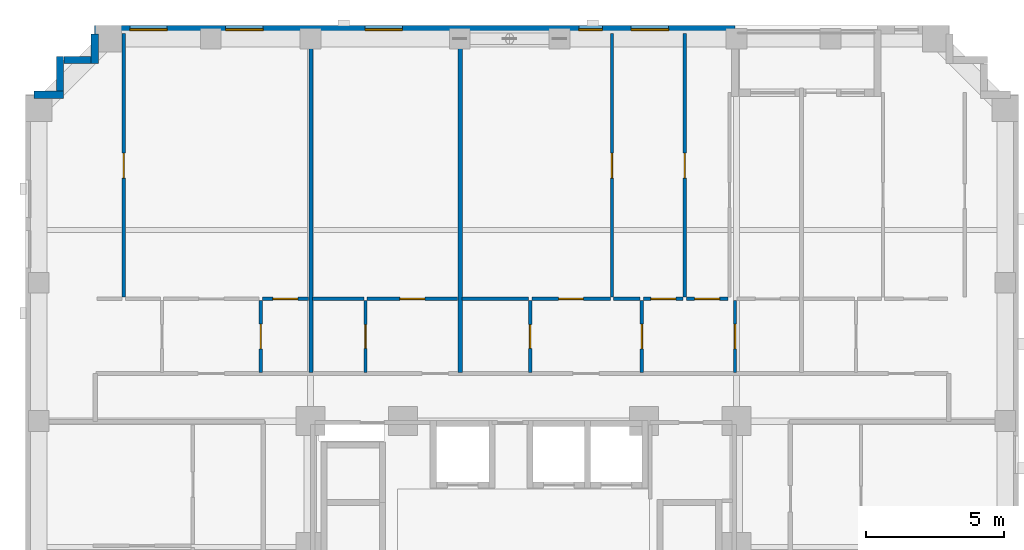
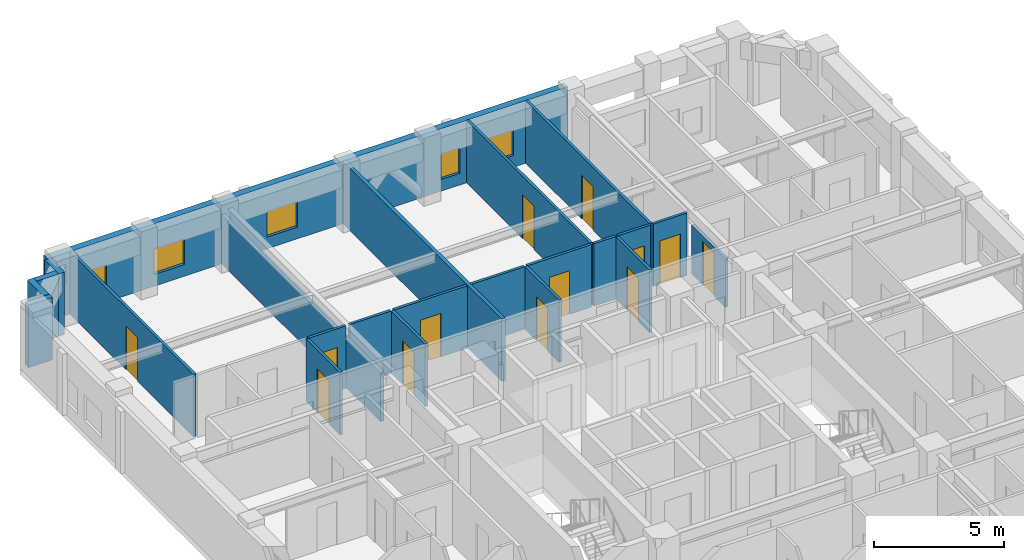
# One storey, part 7 of 12: 23 walls, 13 doors, 5 windows, 18 openings.
"""IFC4 building model written with IfcOpenShell, lengths in metres."""

from ifc_helpers import new_model, si_unit, derived_unit, direction, frame, frame_2d, origin, place, context, subcontext, project, spatial, rectangle, extrude, material, layer, layer_set, type_object, element, fill, save


model = new_model("IFC4")

# Units and contexts
model_context = context("Model", 3, precision=1e-05, world=origin(), true_north=direction((0.0, 1.0)))
body_context = subcontext(model_context, "Body", "Model", "MODEL_VIEW")
ifc_project = project(units=[si_unit("LENGTHUNIT", "METRE"), si_unit("AREAUNIT", "SQUARE_METRE"), si_unit("VOLUMEUNIT", "CUBIC_METRE"), si_unit("PLANEANGLEUNIT", "RADIAN"), si_unit("MASSUNIT", "GRAM", prefix="KILO"), derived_unit("THERMALTRANSMITTANCEUNIT", [(si_unit("MASSUNIT", "GRAM", prefix="KILO"), 1), (si_unit("TIMEUNIT", "SECOND"), -3), (si_unit("THERMODYNAMICTEMPERATUREUNIT", "KELVIN"), -1)])], contexts=[model_context])

# Site, building, storey
site_placement = place(None, origin())
site = spatial("IfcSite", under=ifc_project, at=site_placement, CompositionType="ELEMENT")
building_placement = place(site_placement, origin())
building = spatial("IfcBuilding", under=site, at=building_placement, Name="Korrvale Station Residences", CompositionType="ELEMENT")
storey_placement = place(building_placement, frame((0.0, 0.0, 107.10009765625)))
storey = spatial("IfcBuildingStorey", under=building, at=storey_placement, Name="L30", CompositionType="ELEMENT", Elevation=107.10009765625)

# Walls
ifc_material_1 = material(Name="Precast concrete C45/55", Category="concrete")
ifc_layer_1 = layer(ifc_material_1, 0.260009765625, Name="Precast concrete C45/55")
ifc_layer_set_1 = layer_set([ifc_layer_1], Name="Precast concrete C45/55")
wall_type_1 = type_object("IfcWallType", Name="WAL-EXT-LOG260", PredefinedType="SOLIDWALL", material=ifc_layer_set_1)
wall_1_placement = place(storey_placement, frame((7.802001953125, 40.800048828125, 0.0), z_axis=(0.0, 0.0, 1.0), x_axis=(1.0, 0.0, 0.0)))
element("IfcWall", 1, at=wall_1_placement, inside=storey, type_object=wall_type_1, Name="L30 Serrated Corner Precast Step NW-1", PredefinedType="SOLIDWALL", context=body_context, shape_type="SweptSolid", body=[
    extrude(rectangle(XDim=1.077880859375, YDim=0.260009765625, at=frame_2d((0.5390625, 0.0))), origin(), (0.0, 0.0, 1.0), 2.93994140625),
])
wall_2_placement = place(storey_placement, frame((8.75, 40.931884765625, 0.0), z_axis=(0.0, 0.0, 1.0), x_axis=(0.0, 1.0, 0.0)))
element("IfcWall", 2, at=wall_2_placement, inside=storey, type_object=wall_type_1, Name="L30 Serrated Corner Precast Step NW-2", PredefinedType="SOLIDWALL", context=body_context, shape_type="SweptSolid", body=[
    extrude(rectangle(XDim=1.248046875, YDim=0.260009765625, at=frame_2d((0.6240234375, 0.0))), origin(), (0.0, 0.0, 1.0), 2.93994140625),
])
wall_3_placement = place(storey_placement, frame((8.882080078125, 42.050048828125, 0.0), z_axis=(0.0, 0.0, 1.0), x_axis=(1.0, 0.0, 0.0)))
element("IfcWall", 3, at=wall_3_placement, inside=storey, type_object=wall_type_1, Name="L30 Serrated Corner Precast Step NW-3", PredefinedType="SOLIDWALL", context=body_context, shape_type="SweptSolid", body=[
    extrude(rectangle(XDim=0.98583984375, YDim=0.260009765625, at=frame_2d((0.492919921875, 0.0))), origin(), (0.0, 0.0, 1.0), 2.93994140625),
])
wall_4_placement = place(storey_placement, frame((10.0, 41.919921875, 0.0), z_axis=(0.0, 0.0, 1.0), x_axis=(0.0, 1.0, 0.0)))
element("IfcWall", 4, at=wall_4_placement, inside=storey, type_object=wall_type_1, Name="L30 Serrated Corner Precast Step NW-4", PredefinedType="SOLIDWALL", context=body_context, shape_type="SweptSolid", body=[
    extrude(rectangle(XDim=1.078125, YDim=0.260009765625, at=frame_2d((0.5390625, 0.0))), origin(), (0.0, 0.0, 1.0), 2.93994140625),
])

# Wall, openings, windows
ifc_layer_2 = layer(ifc_material_1, 0.300048828125, Name="Precast concrete C45/55")
ifc_layer_set_2 = layer_set([ifc_layer_2], Name="Precast concrete C45/55")
wall_type_2 = type_object("IfcWallType", Name="WAL-EXT-PC300", PredefinedType="SOLIDWALL", material=ifc_layer_set_2)
wall_5_placement = place(storey_placement, frame((10.0, 43.14990234375, 0.0), z_axis=(0.0, 0.0, 1.0), x_axis=(1.0, 0.0, 0.0)))
wall_5 = element("IfcWall", 5, at=wall_5_placement, inside=storey, type_object=wall_type_2, Name="L30 North Exterior Precast Wall 1", PredefinedType="SOLIDWALL", context=body_context, shape_type="SweptSolid", body=[
    extrude(rectangle(XDim=23.14990234375, YDim=0.300048828125, at=frame_2d((11.574951171875, 0.0))), origin(), (0.0, 0.0, 1.0), 2.93994140625),
])
opening_1_placement = place(wall_5_placement, frame((4.735107421875, 0.0, 0.550048828125)))
opening_1 = element("IfcOpeningElement", 6, at=opening_1_placement, cuts=wall_5, Name="Opening W-10", PredefinedType="OPENING", context=body_context, shape_type="SweptSolid", body=[
    extrude(rectangle(XDim=1.35009765625, YDim=1.199951171875, at=frame_2d((0.675048828125, 0.60009765625))), frame((0.0, 0.16015625, 0.0), z_axis=(0.0, -1.0, 0.0), x_axis=(1.0, 0.0, 0.0)), (0.0, 0.0, 1.0), 0.320068359375),
])
opening_2_placement = place(wall_5_placement, frame((1.27001953125, 0.0, 0.550048828125)))
opening_2 = element("IfcOpeningElement", 7, at=opening_2_placement, cuts=wall_5, Name="Opening W-10", PredefinedType="OPENING", context=body_context, shape_type="SweptSolid", body=[
    extrude(rectangle(XDim=1.35009765625, YDim=1.199951171875, at=frame_2d((0.675048828125, 0.60009765625))), frame((0.0, 0.16015625, 0.0), z_axis=(0.0, -1.0, 0.0), x_axis=(1.0, 0.0, 0.0)), (0.0, 0.0, 1.0), 0.320068359375),
])
opening_3_placement = place(wall_5_placement, frame((9.77294921875, 0.0, 0.550048828125)))
opening_3 = element("IfcOpeningElement", 8, at=opening_3_placement, cuts=wall_5, Name="Opening W-10", PredefinedType="OPENING", context=body_context, shape_type="SweptSolid", body=[
    extrude(rectangle(XDim=1.35009765625, YDim=1.199951171875, at=frame_2d((0.675048828125, 0.60009765625))), frame((0.0, 0.16015625, 0.0), z_axis=(0.0, -1.0, 0.0), x_axis=(1.0, 0.0, 0.0)), (0.0, 0.0, 1.0), 0.320068359375),
])
opening_4_placement = place(wall_5_placement, frame((17.5, 0.0, 0.550048828125)))
opening_4 = element("IfcOpeningElement", 9, at=opening_4_placement, cuts=wall_5, Name="Opening W-11", PredefinedType="OPENING", context=body_context, shape_type="SweptSolid", body=[
    extrude(rectangle(XDim=0.85009765625, YDim=1.199951171875, at=frame_2d((0.425048828125, 0.60009765625))), frame((0.0, 0.16015625, 0.0), z_axis=(0.0, -1.0, 0.0), x_axis=(1.0, 0.0, 0.0)), (0.0, 0.0, 1.0), 0.320068359375),
])
opening_5_placement = place(wall_5_placement, frame((19.39306640625, 0.0, 0.550048828125)))
opening_5 = element("IfcOpeningElement", 10, at=opening_5_placement, cuts=wall_5, Name="Opening W-10", PredefinedType="OPENING", context=body_context, shape_type="SweptSolid", body=[
    extrude(rectangle(XDim=1.35009765625, YDim=1.199951171875, at=frame_2d((0.675048828125, 0.60009765625))), frame((0.0, 0.16015625, 0.0), z_axis=(0.0, -1.0, 0.0), x_axis=(1.0, 0.0, 0.0)), (0.0, 0.0, 1.0), 0.320068359375),
])
ifc_material_2 = material(Name="Thermally broken aluminium frame with triple low-e glazing", Category="aluminium")
window_type_1 = type_object("IfcWindowType", Name="WIN-W10", PartitioningType="SINGLE_PANEL", PredefinedType="WINDOW", material=ifc_material_2)
window_1_placement = place(opening_1_placement, origin())
window_1 = element("IfcWindow", 11, at=window_1_placement, inside=storey, type_object=window_type_1, Name="L30 Punched Window 12", OverallHeight=1.199951171875, OverallWidth=1.35009765625, PartitioningType="SINGLE_PANEL", PredefinedType="WINDOW", context=body_context, shape_type="SweptSolid", body=[
    extrude(rectangle(XDim=1.35009765625, YDim=1.199951171875, at=frame_2d((0.675048828125, 0.60009765625))), frame((0.0, 0.030029296875, 0.0), z_axis=(0.0, -1.0, 0.0), x_axis=(1.0, 0.0, 0.0)), (0.0, 0.0, 1.0), 0.06005859375),
])
fill(opening_1, window_1)
window_2_placement = place(opening_2_placement, origin())
window_2 = element("IfcWindow", 12, at=window_2_placement, inside=storey, type_object=window_type_1, Name="L30 Punched Window 13", OverallHeight=1.199951171875, OverallWidth=1.35009765625, PartitioningType="SINGLE_PANEL", PredefinedType="WINDOW", context=body_context, shape_type="SweptSolid", body=[
    extrude(rectangle(XDim=1.35009765625, YDim=1.199951171875, at=frame_2d((0.675048828125, 0.60009765625))), frame((0.0, 0.030029296875, 0.0), z_axis=(0.0, -1.0, 0.0), x_axis=(1.0, 0.0, 0.0)), (0.0, 0.0, 1.0), 0.06005859375),
])
fill(opening_2, window_2)
window_3_placement = place(opening_3_placement, origin())
window_3 = element("IfcWindow", 13, at=window_3_placement, inside=storey, type_object=window_type_1, Name="L30 Punched Window 14", OverallHeight=1.199951171875, OverallWidth=1.35009765625, PartitioningType="SINGLE_PANEL", PredefinedType="WINDOW", context=body_context, shape_type="SweptSolid", body=[
    extrude(rectangle(XDim=1.35009765625, YDim=1.199951171875, at=frame_2d((0.675048828125, 0.60009765625))), frame((0.0, 0.030029296875, 0.0), z_axis=(0.0, -1.0, 0.0), x_axis=(1.0, 0.0, 0.0)), (0.0, 0.0, 1.0), 0.06005859375),
])
fill(opening_3, window_3)
window_4_placement = place(opening_5_placement, origin())
window_4 = element("IfcWindow", 14, at=window_4_placement, inside=storey, type_object=window_type_1, Name="L30 Punched Window 16", OverallHeight=1.199951171875, OverallWidth=1.35009765625, PartitioningType="SINGLE_PANEL", PredefinedType="WINDOW", context=body_context, shape_type="SweptSolid", body=[
    extrude(rectangle(XDim=1.35009765625, YDim=1.199951171875, at=frame_2d((0.675048828125, 0.60009765625))), frame((0.0, 0.030029296875, 0.0), z_axis=(0.0, -1.0, 0.0), x_axis=(1.0, 0.0, 0.0)), (0.0, 0.0, 1.0), 0.06005859375),
])
fill(opening_5, window_4)
window_type_2 = type_object("IfcWindowType", Name="WIN-W11", PartitioningType="SINGLE_PANEL", PredefinedType="WINDOW", material=ifc_material_2)
window_5_placement = place(opening_4_placement, origin())
window_5 = element("IfcWindow", 15, at=window_5_placement, inside=storey, type_object=window_type_2, Name="L30 Punched Window 15", OverallHeight=1.199951171875, OverallWidth=0.85009765625, PartitioningType="SINGLE_PANEL", PredefinedType="WINDOW", context=body_context, shape_type="SweptSolid", body=[
    extrude(rectangle(XDim=0.85009765625, YDim=1.199951171875, at=frame_2d((0.425048828125, 0.60009765625))), frame((0.0, 0.030029296875, 0.0), z_axis=(0.0, -1.0, 0.0), x_axis=(1.0, 0.0, 0.0)), (0.0, 0.0, 1.0), 0.06005859375),
])
fill(opening_4, window_5)

# Wall, opening, door
ifc_material_3 = material(Name="Acoustic steel-stud gypsum board partition", Category="steel")
ifc_layer_3 = layer(ifc_material_3, 0.1201171875, Name="Acoustic steel-stud gypsum board partition")
ifc_layer_set_3 = layer_set([ifc_layer_3], Name="Acoustic steel-stud gypsum board partition")
wall_type_3 = type_object("IfcWallType", Name="WAL-PART-125", PredefinedType="PARTITIONING", material=ifc_layer_set_3)
wall_6_placement = place(storey_placement, frame((16.001953125, 30.760009765625, 0.0), z_axis=(0.0, 0.0, 1.0), x_axis=(0.0, 1.0, 0.0)))
wall_6 = element("IfcWall", 16, at=wall_6_placement, inside=storey, type_object=wall_type_3, Name="L30 Suite Partition U04-V12", PredefinedType="PARTITIONING", context=body_context, shape_type="SweptSolid", body=[
    extrude(rectangle(XDim=2.60009765625, YDim=0.1201171875, at=frame_2d((1.300048828125, 0.0))), origin(), (0.0, 0.0, 1.0), 2.93994140625),
])
opening_6_placement = place(wall_6_placement, frame((0.85009765625, 0.0, 0.0)))
opening_6 = element("IfcOpeningElement", 17, at=opening_6_placement, cuts=wall_6, Name="Opening DI-900", PredefinedType="OPENING", context=body_context, shape_type="SweptSolid", body=[
    extrude(rectangle(XDim=0.89990234375, YDim=2.050048828125, at=frame_2d((0.449951171875, 1.02490234375))), frame((0.0, 0.070068359375, 0.0), z_axis=(0.0, -1.0, 0.0), x_axis=(1.0, 0.0, 0.0)), (0.0, 0.0, 1.0), 0.14013671875),
])
ifc_material_4 = material(Name="Painted solid-core timber interior room door", Category="wood")
door_type_1 = type_object("IfcDoorType", Name="DR-INT-900", OperationType="NOTDEFINED", PredefinedType="DOOR", material=ifc_material_4)
door_1_placement = place(opening_6_placement, origin())
door_1 = element("IfcDoor", 18, at=door_1_placement, inside=storey, type_object=door_type_1, Name="L30 Studio Apartment L30-U04 Kitchen Door", OperationType="SINGLE_SWING_RIGHT", OverallHeight=2.050048828125, OverallWidth=0.89990234375, PredefinedType="DOOR", context=body_context, shape_type="SweptSolid", body=[
    extrude(rectangle(XDim=0.89990234375, YDim=2.050048828125, at=frame_2d((0.449951171875, 1.02490234375))), frame((0.0, 0.02490234375, 0.0), z_axis=(0.0, -1.0, 0.0), x_axis=(1.0, 0.0, 0.0)), (0.0, 0.0, 1.0), 0.050048828125),
])
fill(opening_6, door_1)

wall_7_placement = place(storey_placement, frame((16.06201171875, 33.419921875, 0.0), z_axis=(0.0, 0.0, 1.0), x_axis=(1.0, 0.0, 0.0)))
wall_7 = element("IfcWall", 19, at=wall_7_placement, inside=storey, type_object=wall_type_3, Name="L30 Suite Partition U04-H24", PredefinedType="PARTITIONING", context=body_context, shape_type="SweptSolid", body=[
    extrude(rectangle(XDim=1.657958984375, YDim=0.1201171875, at=frame_2d((0.8291015625, 0.0))), origin(), (0.0, 0.0, 1.0), 2.93994140625),
])
opening_7_placement = place(wall_7_placement, frame((0.37890625, 0.0, 0.0)))
opening_7 = element("IfcOpeningElement", 20, at=opening_7_placement, cuts=wall_7, Name="Opening DI-900", PredefinedType="OPENING", context=body_context, shape_type="SweptSolid", body=[
    extrude(rectangle(XDim=0.89990234375, YDim=2.050048828125, at=frame_2d((0.449951171875, 1.02490234375))), frame((0.0, 0.070068359375, 0.0), z_axis=(0.0, -1.0, 0.0), x_axis=(1.0, 0.0, 0.0)), (0.0, 0.0, 1.0), 0.14013671875),
])
door_2_placement = place(opening_7_placement, origin())
door_2 = element("IfcDoor", 21, at=door_2_placement, inside=storey, type_object=door_type_1, Name="L30 Studio Apartment L30-U04 Utility and Laundry Room Door", OperationType="SINGLE_SWING_RIGHT", OverallHeight=2.050048828125, OverallWidth=0.89990234375, PredefinedType="DOOR", context=body_context, shape_type="SweptSolid", body=[
    extrude(rectangle(XDim=0.89990234375, YDim=2.050048828125, at=frame_2d((0.449951171875, 1.02490234375))), frame((0.0, 0.02490234375, 0.0), z_axis=(0.0, -1.0, 0.0), x_axis=(1.0, 0.0, 0.0)), (0.0, 0.0, 1.0), 0.050048828125),
])
fill(opening_7, door_2)

wall_8_placement = place(storey_placement, frame((11.050048828125, 33.47998046875, 0.0), z_axis=(0.0, 0.0, 1.0), x_axis=(0.0, 1.0, 0.0)))
wall_8 = element("IfcWall", 22, at=wall_8_placement, inside=storey, type_object=wall_type_3, Name="L30 Suite Partition U04-V34", PredefinedType="PARTITIONING", context=body_context, shape_type="SweptSolid", body=[
    extrude(rectangle(XDim=9.5400390625, YDim=0.1201171875, at=frame_2d((4.77001953125, 0.0))), origin(), (0.0, 0.0, 1.0), 2.93994140625),
])
opening_8_placement = place(wall_8_placement, frame((4.304931640625, 0.0, 0.0)))
opening_8 = element("IfcOpeningElement", 23, at=opening_8_placement, cuts=wall_8, Name="Opening DI-900", PredefinedType="OPENING", context=body_context, shape_type="SweptSolid", body=[
    extrude(rectangle(XDim=0.89990234375, YDim=2.050048828125, at=frame_2d((0.449951171875, 1.02490234375))), frame((0.0, 0.070068359375, 0.0), z_axis=(0.0, -1.0, 0.0), x_axis=(1.0, 0.0, 0.0)), (0.0, 0.0, 1.0), 0.14013671875),
])
door_3_placement = place(opening_8_placement, origin())
door_3 = element("IfcDoor", 24, at=door_3_placement, inside=storey, type_object=door_type_1, Name="L30 Studio Apartment L30-U04 Walk-In Wardrobe Door", OperationType="SINGLE_SWING_LEFT", OverallHeight=2.050048828125, OverallWidth=0.89990234375, PredefinedType="DOOR", context=body_context, shape_type="SweptSolid", body=[
    extrude(rectangle(XDim=0.89990234375, YDim=2.050048828125, at=frame_2d((0.449951171875, 1.02490234375))), frame((0.0, 0.02490234375, 0.0), z_axis=(0.0, -1.0, 0.0), x_axis=(1.0, 0.0, 0.0)), (0.0, 0.0, 1.0), 0.050048828125),
])
fill(opening_8, door_3)

wall_9_placement = place(storey_placement, frame((19.7900390625, 30.760009765625, 0.0), z_axis=(0.0, 0.0, 1.0), x_axis=(0.0, 1.0, 0.0)))
wall_9 = element("IfcWall", 25, at=wall_9_placement, inside=storey, type_object=wall_type_3, Name="L30 Suite Partition U05-V01", PredefinedType="PARTITIONING", context=body_context, shape_type="SweptSolid", body=[
    extrude(rectangle(XDim=2.60009765625, YDim=0.1201171875, at=frame_2d((1.300048828125, 0.0))), origin(), (0.0, 0.0, 1.0), 2.93994140625),
])
opening_9_placement = place(wall_9_placement, frame((0.8701171875, 0.0, 0.0)))
opening_9 = element("IfcOpeningElement", 26, at=opening_9_placement, cuts=wall_9, Name="Opening DB-860", PredefinedType="OPENING", context=body_context, shape_type="SweptSolid", body=[
    extrude(rectangle(XDim=0.860107421875, YDim=2.050048828125, at=frame_2d((0.43017578125, 1.02490234375))), frame((0.0, 0.070068359375, 0.0), z_axis=(0.0, -1.0, 0.0), x_axis=(1.0, 0.0, 0.0)), (0.0, 0.0, 1.0), 0.14013671875),
])
ifc_material_5 = material(Name="Moisture-resistant solid-core bathroom door", Category="timber")
door_type_2 = type_object("IfcDoorType", Name="DR-BATH-860", OperationType="NOTDEFINED", PredefinedType="DOOR", material=ifc_material_5)
door_4_placement = place(opening_9_placement, origin())
door_4 = element("IfcDoor", 27, at=door_4_placement, inside=storey, type_object=door_type_2, Name="L30 Studio Apartment L30-U05 Bathroom Door", OperationType="SINGLE_SWING_RIGHT", OverallHeight=2.050048828125, OverallWidth=0.860107421875, PredefinedType="DOOR", context=body_context, shape_type="SweptSolid", body=[
    extrude(rectangle(XDim=0.860107421875, YDim=2.050048828125, at=frame_2d((0.43017578125, 1.02490234375))), frame((0.0, 0.02490234375, 0.0), z_axis=(0.0, -1.0, 0.0), x_axis=(1.0, 0.0, 0.0)), (0.0, 0.0, 1.0), 0.050048828125),
])
fill(opening_9, door_4)

# Wall
wall_10_placement = place(storey_placement, frame((17.8798828125, 33.419921875, 0.0), z_axis=(0.0, 0.0, 1.0), x_axis=(1.0, 0.0, 0.0)))
element("IfcWall", 28, at=wall_10_placement, inside=storey, type_object=wall_type_3, Name="L30 Suite Partition U05-H02", PredefinedType="PARTITIONING", context=body_context, shape_type="SweptSolid", body=[
    extrude(rectangle(XDim=1.85009765625, YDim=0.1201171875, at=frame_2d((0.925048828125, 0.0))), origin(), (0.0, 0.0, 1.0), 2.93994140625),
])

# Wall, opening, door
wall_11_placement = place(storey_placement, frame((19.85009765625, 33.419921875, 0.0), z_axis=(0.0, 0.0, 1.0), x_axis=(1.0, 0.0, 0.0)))
wall_11 = element("IfcWall", 29, at=wall_11_placement, inside=storey, type_object=wall_type_3, Name="L30 Suite Partition U05-H12", PredefinedType="PARTITIONING", context=body_context, shape_type="SweptSolid", body=[
    extrude(rectangle(XDim=3.27001953125, YDim=0.1201171875, at=frame_2d((1.635009765625, 0.0))), origin(), (0.0, 0.0, 1.0), 2.93994140625),
])
opening_10_placement = place(wall_11_placement, frame((1.18505859375, 0.0, 0.0)))
opening_10 = element("IfcOpeningElement", 30, at=opening_10_placement, cuts=wall_11, Name="Opening DI-900", PredefinedType="OPENING", context=body_context, shape_type="SweptSolid", body=[
    extrude(rectangle(XDim=0.89990234375, YDim=2.050048828125, at=frame_2d((0.449951171875, 1.02490234375))), frame((0.0, 0.070068359375, 0.0), z_axis=(0.0, -1.0, 0.0), x_axis=(1.0, 0.0, 0.0)), (0.0, 0.0, 1.0), 0.14013671875),
])
door_5_placement = place(opening_10_placement, origin())
door_5 = element("IfcDoor", 31, at=door_5_placement, inside=storey, type_object=door_type_1, Name="L30 Studio Apartment L30-U05 Kitchen Door", OperationType="SINGLE_SWING_LEFT", OverallHeight=2.050048828125, OverallWidth=0.89990234375, PredefinedType="DOOR", context=body_context, shape_type="SweptSolid", body=[
    extrude(rectangle(XDim=0.89990234375, YDim=2.050048828125, at=frame_2d((0.449951171875, 1.02490234375))), frame((0.0, 0.02490234375, 0.0), z_axis=(0.0, -1.0, 0.0), x_axis=(1.0, 0.0, 0.0)), (0.0, 0.0, 1.0), 0.050048828125),
])
fill(opening_10, door_5)

wall_12_placement = place(storey_placement, frame((25.739990234375, 30.760009765625, 0.0), z_axis=(0.0, 0.0, 1.0), x_axis=(0.0, 1.0, 0.0)))
wall_12 = element("IfcWall", 32, at=wall_12_placement, inside=storey, type_object=wall_type_3, Name="L30 Suite Partition U06-V01", PredefinedType="PARTITIONING", context=body_context, shape_type="SweptSolid", body=[
    extrude(rectangle(XDim=2.60009765625, YDim=0.1201171875, at=frame_2d((1.300048828125, 0.0))), origin(), (0.0, 0.0, 1.0), 2.93994140625),
])
opening_11_placement = place(wall_12_placement, frame((0.8701171875, 0.0, 0.0)))
opening_11 = element("IfcOpeningElement", 33, at=opening_11_placement, cuts=wall_12, Name="Opening DB-860", PredefinedType="OPENING", context=body_context, shape_type="SweptSolid", body=[
    extrude(rectangle(XDim=0.860107421875, YDim=2.050048828125, at=frame_2d((0.43017578125, 1.02490234375))), frame((0.0, 0.070068359375, 0.0), z_axis=(0.0, -1.0, 0.0), x_axis=(1.0, 0.0, 0.0)), (0.0, 0.0, 1.0), 0.14013671875),
])
door_6_placement = place(opening_11_placement, origin())
door_6 = element("IfcDoor", 34, at=door_6_placement, inside=storey, type_object=door_type_2, Name="L30 Apartment 2BR L30-U06 Bathroom Door", OperationType="SINGLE_SWING_RIGHT", OverallHeight=2.050048828125, OverallWidth=0.860107421875, PredefinedType="DOOR", context=body_context, shape_type="SweptSolid", body=[
    extrude(rectangle(XDim=0.860107421875, YDim=2.050048828125, at=frame_2d((0.43017578125, 1.02490234375))), frame((0.0, 0.02490234375, 0.0), z_axis=(0.0, -1.0, 0.0), x_axis=(1.0, 0.0, 0.0)), (0.0, 0.0, 1.0), 0.050048828125),
])
fill(opening_11, door_6)

# Wall
wall_13_placement = place(storey_placement, frame((23.280029296875, 33.419921875, 0.0), z_axis=(0.0, 0.0, 1.0), x_axis=(1.0, 0.0, 0.0)))
element("IfcWall", 35, at=wall_13_placement, inside=storey, type_object=wall_type_3, Name="L30 Suite Partition U06-H04", PredefinedType="PARTITIONING", context=body_context, shape_type="SweptSolid", body=[
    extrude(rectangle(XDim=2.39990234375, YDim=0.1201171875, at=frame_2d((1.199951171875, 0.0))), origin(), (0.0, 0.0, 1.0), 2.93994140625),
])

# Wall, opening, door
wall_14_placement = place(storey_placement, frame((29.780029296875, 30.760009765625, 0.0), z_axis=(0.0, 0.0, 1.0), x_axis=(0.0, 1.0, 0.0)))
wall_14 = element("IfcWall", 36, at=wall_14_placement, inside=storey, type_object=wall_type_3, Name="L30 Suite Partition U06-V12", PredefinedType="PARTITIONING", context=body_context, shape_type="SweptSolid", body=[
    extrude(rectangle(XDim=2.60009765625, YDim=0.1201171875, at=frame_2d((1.300048828125, 0.0))), origin(), (0.0, 0.0, 1.0), 2.93994140625),
])
opening_12_placement = place(wall_14_placement, frame((0.85009765625, 0.0, 0.0)))
opening_12 = element("IfcOpeningElement", 37, at=opening_12_placement, cuts=wall_14, Name="Opening DI-900", PredefinedType="OPENING", context=body_context, shape_type="SweptSolid", body=[
    extrude(rectangle(XDim=0.89990234375, YDim=2.050048828125, at=frame_2d((0.449951171875, 1.02490234375))), frame((0.0, 0.070068359375, 0.0), z_axis=(0.0, -1.0, 0.0), x_axis=(1.0, 0.0, 0.0)), (0.0, 0.0, 1.0), 0.14013671875),
])
door_7_placement = place(opening_12_placement, origin())
door_7 = element("IfcDoor", 38, at=door_7_placement, inside=storey, type_object=door_type_1, Name="L30 Apartment 2BR L30-U06 Kitchen Door", OperationType="SINGLE_SWING_LEFT", OverallHeight=2.050048828125, OverallWidth=0.89990234375, PredefinedType="DOOR", context=body_context, shape_type="SweptSolid", body=[
    extrude(rectangle(XDim=0.89990234375, YDim=2.050048828125, at=frame_2d((0.449951171875, 1.02490234375))), frame((0.0, 0.02490234375, 0.0), z_axis=(0.0, -1.0, 0.0), x_axis=(1.0, 0.0, 0.0)), (0.0, 0.0, 1.0), 0.050048828125),
])
fill(opening_12, door_7)

wall_15_placement = place(storey_placement, frame((25.800048828125, 33.419921875, 0.0), z_axis=(0.0, 0.0, 1.0), x_axis=(1.0, 0.0, 0.0)))
wall_15 = element("IfcWall", 39, at=wall_15_placement, inside=storey, type_object=wall_type_3, Name="L30 Suite Partition U06-H14", PredefinedType="PARTITIONING", context=body_context, shape_type="SweptSolid", body=[
    extrude(rectangle(XDim=2.837890625, YDim=0.1201171875, at=frame_2d((1.4189453125, 0.0))), origin(), (0.0, 0.0, 1.0), 2.93994140625),
])
opening_13_placement = place(wall_15_placement, frame((0.968994140625, 0.0, 0.0)))
opening_13 = element("IfcOpeningElement", 40, at=opening_13_placement, cuts=wall_15, Name="Opening DI-900", PredefinedType="OPENING", context=body_context, shape_type="SweptSolid", body=[
    extrude(rectangle(XDim=0.89990234375, YDim=2.050048828125, at=frame_2d((0.449951171875, 1.02490234375))), frame((0.0, 0.070068359375, 0.0), z_axis=(0.0, -1.0, 0.0), x_axis=(1.0, 0.0, 0.0)), (0.0, 0.0, 1.0), 0.14013671875),
])
door_8_placement = place(opening_13_placement, origin())
door_8 = element("IfcDoor", 41, at=door_8_placement, inside=storey, type_object=door_type_1, Name="L30 Apartment 2BR L30-U06 Kitchen Door", OperationType="SINGLE_SWING_RIGHT", OverallHeight=2.050048828125, OverallWidth=0.89990234375, PredefinedType="DOOR", context=body_context, shape_type="SweptSolid", body=[
    extrude(rectangle(XDim=0.89990234375, YDim=2.050048828125, at=frame_2d((0.449951171875, 1.02490234375))), frame((0.0, 0.02490234375, 0.0), z_axis=(0.0, -1.0, 0.0), x_axis=(1.0, 0.0, 0.0)), (0.0, 0.0, 1.0), 0.050048828125),
])
fill(opening_13, door_8)

# Wall
wall_16_placement = place(storey_placement, frame((28.758056640625, 33.419921875, 0.0), z_axis=(0.0, 0.0, 1.0), x_axis=(1.0, 0.0, 0.0)))
element("IfcWall", 42, at=wall_16_placement, inside=storey, type_object=wall_type_3, Name="L30 Suite Partition U06-H15", PredefinedType="PARTITIONING", context=body_context, shape_type="SweptSolid", body=[
    extrude(rectangle(XDim=0.9619140625, YDim=0.1201171875, at=frame_2d((0.48095703125, 0.0))), origin(), (0.0, 0.0, 1.0), 2.93994140625),
])

# Wall, opening, door
wall_17_placement = place(storey_placement, frame((33.14990234375, 30.760009765625, 0.0), z_axis=(0.0, 0.0, 1.0), x_axis=(0.0, 1.0, 0.0)))
wall_17 = element("IfcWall", 43, at=wall_17_placement, inside=storey, type_object=wall_type_3, Name="L30 Suite Partition U06-V23", PredefinedType="PARTITIONING", context=body_context, shape_type="SweptSolid", body=[
    extrude(rectangle(XDim=2.60009765625, YDim=0.1201171875, at=frame_2d((1.300048828125, 0.0))), origin(), (0.0, 0.0, 1.0), 2.31298828125),
])
opening_14_placement = place(wall_17_placement, frame((0.85009765625, 0.0, 0.0)))
opening_14 = element("IfcOpeningElement", 44, at=opening_14_placement, cuts=wall_17, Name="Opening DI-900", PredefinedType="OPENING", context=body_context, shape_type="SweptSolid", body=[
    extrude(rectangle(XDim=0.89990234375, YDim=2.050048828125, at=frame_2d((0.449951171875, 1.02490234375))), frame((0.0, 0.070068359375, 0.0), z_axis=(0.0, -1.0, 0.0), x_axis=(1.0, 0.0, 0.0)), (0.0, 0.0, 1.0), 0.14013671875),
])
door_9_placement = place(opening_14_placement, origin())
door_9 = element("IfcDoor", 45, at=door_9_placement, inside=storey, type_object=door_type_1, Name="L30 Apartment 2BR L30-U06 Home Study Room Door", OperationType="SINGLE_SWING_LEFT", OverallHeight=2.050048828125, OverallWidth=0.89990234375, PredefinedType="DOOR", context=body_context, shape_type="SweptSolid", body=[
    extrude(rectangle(XDim=0.89990234375, YDim=2.050048828125, at=frame_2d((0.449951171875, 1.02490234375))), frame((0.0, 0.02490234375, 0.0), z_axis=(0.0, -1.0, 0.0), x_axis=(1.0, 0.0, 0.0)), (0.0, 0.0, 1.0), 0.050048828125),
])
fill(opening_14, door_9)

wall_18_placement = place(storey_placement, frame((29.840087890625, 33.419921875, 0.0), z_axis=(0.0, 0.0, 1.0), x_axis=(1.0, 0.0, 0.0)))
wall_18 = element("IfcWall", 46, at=wall_18_placement, inside=storey, type_object=wall_type_3, Name="L30 Suite Partition U06-H25", PredefinedType="PARTITIONING", context=body_context, shape_type="SweptSolid", body=[
    extrude(rectangle(XDim=1.429931640625, YDim=0.1201171875, at=frame_2d((0.71484375, 0.0))), origin(), (0.0, 0.0, 1.0), 2.93994140625),
])
opening_15_placement = place(wall_18_placement, frame((0.264892578125, 0.0, 0.0)))
opening_15 = element("IfcOpeningElement", 47, at=opening_15_placement, cuts=wall_18, Name="Opening DI-900", PredefinedType="OPENING", context=body_context, shape_type="SweptSolid", body=[
    extrude(rectangle(XDim=0.89990234375, YDim=2.050048828125, at=frame_2d((0.449951171875, 1.02490234375))), frame((0.0, 0.070068359375, 0.0), z_axis=(0.0, -1.0, 0.0), x_axis=(1.0, 0.0, 0.0)), (0.0, 0.0, 1.0), 0.14013671875),
])
door_10_placement = place(opening_15_placement, origin())
door_10 = element("IfcDoor", 48, at=door_10_placement, inside=storey, type_object=door_type_1, Name="L30 Apartment 2BR L30-U06 Home Study Room Door", OperationType="SINGLE_SWING_RIGHT", OverallHeight=2.050048828125, OverallWidth=0.89990234375, PredefinedType="DOOR", context=body_context, shape_type="SweptSolid", body=[
    extrude(rectangle(XDim=0.89990234375, YDim=2.050048828125, at=frame_2d((0.449951171875, 1.02490234375))), frame((0.0, 0.02490234375, 0.0), z_axis=(0.0, -1.0, 0.0), x_axis=(1.0, 0.0, 0.0)), (0.0, 0.0, 1.0), 0.050048828125),
])
fill(opening_15, door_10)

wall_19_placement = place(storey_placement, frame((31.389892578125, 33.419921875, 0.0), z_axis=(0.0, 0.0, 1.0), x_axis=(1.0, 0.0, 0.0)))
wall_19 = element("IfcWall", 49, at=wall_19_placement, inside=storey, type_object=wall_type_3, Name="L30 Suite Partition U06-H26", PredefinedType="PARTITIONING", context=body_context, shape_type="SweptSolid", body=[
    extrude(rectangle(XDim=1.5, YDim=0.1201171875, at=frame_2d((0.75, 0.0))), origin(), (0.0, 0.0, 1.0), 2.93994140625),
])
opening_16_placement = place(wall_19_placement, frame((0.300048828125, 0.0, 0.0)))
opening_16 = element("IfcOpeningElement", 50, at=opening_16_placement, cuts=wall_19, Name="Opening DI-900", PredefinedType="OPENING", context=body_context, shape_type="SweptSolid", body=[
    extrude(rectangle(XDim=0.89990234375, YDim=2.050048828125, at=frame_2d((0.449951171875, 1.02490234375))), frame((0.0, 0.070068359375, 0.0), z_axis=(0.0, -1.0, 0.0), x_axis=(1.0, 0.0, 0.0)), (0.0, 0.0, 1.0), 0.14013671875),
])
door_11_placement = place(opening_16_placement, origin())
door_11 = element("IfcDoor", 51, at=door_11_placement, inside=storey, type_object=door_type_1, Name="L30 Apartment 2BR L30-U06 Home Study Room Door", OperationType="SINGLE_SWING_LEFT", OverallHeight=2.050048828125, OverallWidth=0.89990234375, PredefinedType="DOOR", context=body_context, shape_type="SweptSolid", body=[
    extrude(rectangle(XDim=0.89990234375, YDim=2.050048828125, at=frame_2d((0.449951171875, 1.02490234375))), frame((0.0, 0.02490234375, 0.0), z_axis=(0.0, -1.0, 0.0), x_axis=(1.0, 0.0, 0.0)), (0.0, 0.0, 1.0), 0.050048828125),
])
fill(opening_16, door_11)

wall_20_placement = place(storey_placement, frame((28.697998046875, 33.47998046875, 0.0), z_axis=(0.0, 0.0, 1.0), x_axis=(0.0, 1.0, 0.0)))
wall_20 = element("IfcWall", 52, at=wall_20_placement, inside=storey, type_object=wall_type_3, Name="L30 Suite Partition U06-V45", PredefinedType="PARTITIONING", context=body_context, shape_type="SweptSolid", body=[
    extrude(rectangle(XDim=9.5400390625, YDim=0.1201171875, at=frame_2d((4.77001953125, 0.0))), origin(), (0.0, 0.0, 1.0), 2.93994140625),
])
opening_17_placement = place(wall_20_placement, frame((4.304931640625, 0.0, 0.0)))
opening_17 = element("IfcOpeningElement", 53, at=opening_17_placement, cuts=wall_20, Name="Opening DI-900", PredefinedType="OPENING", context=body_context, shape_type="SweptSolid", body=[
    extrude(rectangle(XDim=0.89990234375, YDim=2.050048828125, at=frame_2d((0.449951171875, 1.02490234375))), frame((0.0, 0.070068359375, 0.0), z_axis=(0.0, -1.0, 0.0), x_axis=(1.0, 0.0, 0.0)), (0.0, 0.0, 1.0), 0.14013671875),
])
door_12_placement = place(opening_17_placement, origin())
door_12 = element("IfcDoor", 54, at=door_12_placement, inside=storey, type_object=door_type_1, Name="L30 Apartment 2BR L30-U06 Living and Dining Room Door", OperationType="SINGLE_SWING_LEFT", OverallHeight=2.050048828125, OverallWidth=0.89990234375, PredefinedType="DOOR", context=body_context, shape_type="SweptSolid", body=[
    extrude(rectangle(XDim=0.89990234375, YDim=2.050048828125, at=frame_2d((0.449951171875, 1.02490234375))), frame((0.0, 0.02490234375, 0.0), z_axis=(0.0, -1.0, 0.0), x_axis=(1.0, 0.0, 0.0)), (0.0, 0.0, 1.0), 0.050048828125),
])
fill(opening_17, door_12)

wall_21_placement = place(storey_placement, frame((31.330078125, 33.47998046875, 0.0), z_axis=(0.0, 0.0, 1.0), x_axis=(0.0, 1.0, 0.0)))
wall_21 = element("IfcWall", 55, at=wall_21_placement, inside=storey, type_object=wall_type_3, Name="L30 Suite Partition U06-V56", PredefinedType="PARTITIONING", context=body_context, shape_type="SweptSolid", body=[
    extrude(rectangle(XDim=9.5400390625, YDim=0.1201171875, at=frame_2d((4.77001953125, 0.0))), origin(), (0.0, 0.0, 1.0), 2.93994140625),
])
opening_18_placement = place(wall_21_placement, frame((4.304931640625, 0.0, 0.0)))
opening_18 = element("IfcOpeningElement", 56, at=opening_18_placement, cuts=wall_21, Name="Opening DI-900", PredefinedType="OPENING", context=body_context, shape_type="SweptSolid", body=[
    extrude(rectangle(XDim=0.89990234375, YDim=2.050048828125, at=frame_2d((0.449951171875, 1.02490234375))), frame((0.0, 0.070068359375, 0.0), z_axis=(0.0, -1.0, 0.0), x_axis=(1.0, 0.0, 0.0)), (0.0, 0.0, 1.0), 0.14013671875),
])
door_13_placement = place(opening_18_placement, origin())
door_13 = element("IfcDoor", 57, at=door_13_placement, inside=storey, type_object=door_type_1, Name="L30 Apartment 2BR L30-U06 Bedroom 1 Door", OperationType="SINGLE_SWING_RIGHT", OverallHeight=2.050048828125, OverallWidth=0.89990234375, PredefinedType="DOOR", context=body_context, shape_type="SweptSolid", body=[
    extrude(rectangle(XDim=0.89990234375, YDim=2.050048828125, at=frame_2d((0.449951171875, 1.02490234375))), frame((0.0, 0.02490234375, 0.0), z_axis=(0.0, -1.0, 0.0), x_axis=(1.0, 0.0, 0.0)), (0.0, 0.0, 1.0), 0.050048828125),
])
fill(opening_18, door_13)

# Walls
ifc_material_6 = material(Name="Fire-rated twin-stud gypsum and mineral wool shaftwall assembly", Category="gypsum")
ifc_layer_4 = layer(ifc_material_6, 0.159912109375, Name="Fire-rated twin-stud gypsum and mineral wool shaftwall assembly")
ifc_layer_set_4 = layer_set([ifc_layer_4], Name="Fire-rated twin-stud gypsum and mineral wool shaftwall assembly")
wall_type_4 = type_object("IfcWallType", Name="WAL-PART-200", PredefinedType="PARTITIONING", material=ifc_layer_set_4)
wall_22_placement = place(storey_placement, frame((17.820068359375, 30.760009765625, 0.0), z_axis=(0.0, 0.0, 1.0), x_axis=(0.0, 1.0, 0.0)))
element("IfcWall", 58, at=wall_22_placement, inside=storey, type_object=wall_type_4, Name="L30 Demising Wall U05-W", PredefinedType="PARTITIONING", context=body_context, shape_type="SweptSolid", body=[
    extrude(rectangle(XDim=12.260009765625, YDim=0.159912109375, at=frame_2d((6.1298828125, 0.0))), origin(), (0.0, 0.0, 1.0), 2.31298828125),
])
wall_23_placement = place(storey_placement, frame((23.219970703125, 30.760009765625, 0.0), z_axis=(0.0, 0.0, 1.0), x_axis=(0.0, 1.0, 0.0)))
element("IfcWall", 59, at=wall_23_placement, inside=storey, type_object=wall_type_4, Name="L30 Demising Wall U06-W", PredefinedType="PARTITIONING", context=body_context, shape_type="SweptSolid", body=[
    extrude(rectangle(XDim=12.260009765625, YDim=0.159912109375, at=frame_2d((6.1298828125, 0.0))), origin(), (0.0, 0.0, 1.0), 2.93994140625),
])

save(model, "model.ifc")
